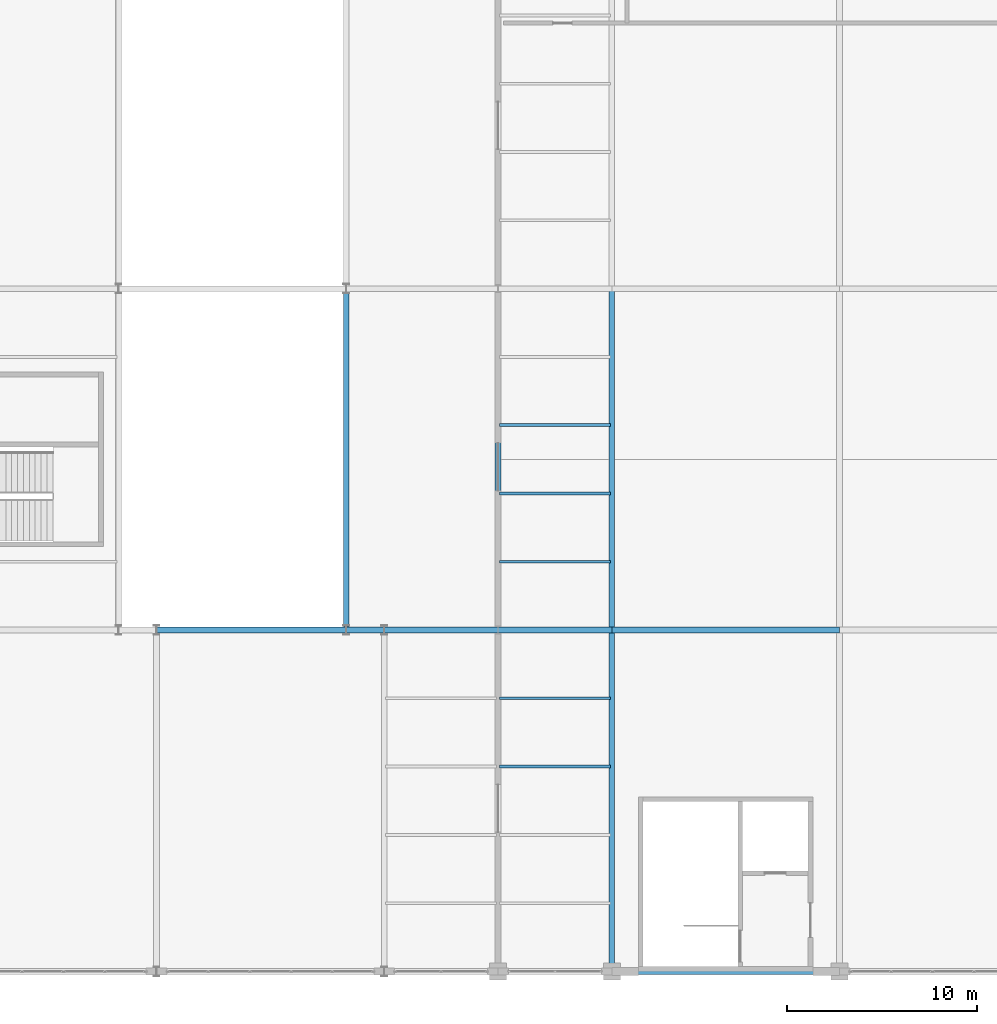
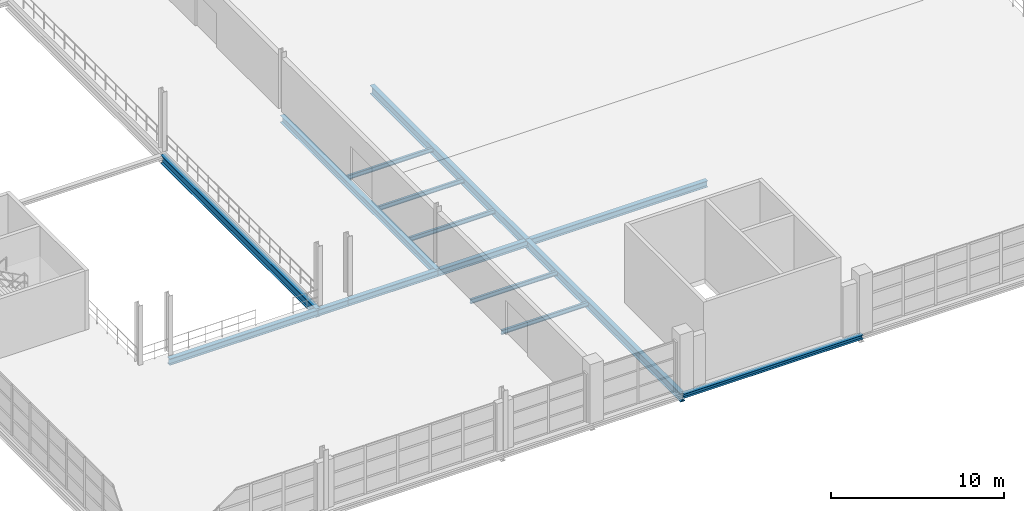
# One storey, part 43 of 158: 15 beams.
"""IFC4 building model written with IfcOpenShell, lengths in metres."""

import ifcopenshell
import ifcopenshell.guid

model = None  # the IFC model being written
_history = None  # IfcOwnerHistory: only IFC2X3 demands one
_inside = {}  # id of a spatial element -> (the spatial element, [elements in it])
_under = {}  # id of a project, library or spatial element -> (it, [spatial elements below it])
_declared = {}  # id of a project -> (the project, [libraries it declares])
_typed = {}  # id of a type object -> (the type object, [elements of that type])
_made_of = {}  # id of a material, layer set ... -> (it, [elements and type objects made of it])


def new_model(schema):
    """Start an empty IFC model of exactly this schema.

    Asked for "IFC4X3", IfcOpenShell would pick the latest addendum, in which some entities
    have other attributes; the version numbers below select the first issue.
    IFC2X3 requires an IfcOwnerHistory on every rooted entity: one is made here for all.
    """
    global model, _history
    if schema == "IFC4X3":
        model = ifcopenshell.file(schema_version=(4, 3, 0, 0))
    else:
        model = ifcopenshell.file(schema=schema)
    _inside.clear()
    _under.clear()
    _declared.clear()
    _typed.clear()
    _made_of.clear()
    _history = None
    if model.schema == "IFC2X3":
        org = make("IfcOrganization", Name="unknown")
        user = make(
            "IfcPersonAndOrganization",
            ThePerson=make("IfcPerson", FamilyName="unknown"),
            TheOrganization=org,
        )
        app = make(
            "IfcApplication",
            ApplicationDeveloper=org,
            Version="unknown",
            ApplicationFullName="unknown",
            ApplicationIdentifier="unknown",
        )
        _history = make(
            "IfcOwnerHistory",
            OwningUser=user,
            OwningApplication=app,
            ChangeAction="ADDED",
            CreationDate=0,
        )
    return model


def make(cls, **values):
    """One entity of the class cls with the attributes given. An attribute that is None is left unset."""
    return model.create_entity(
        cls, **{name: value for name, value in values.items() if value is not None}
    )


def rooted(cls, **values):
    """An entity with a GlobalId (a new one), such as an element, a storey or a relation."""
    return make(cls, GlobalId=ifcopenshell.guid.new(), OwnerHistory=_history, **values)


def si_unit(unit_type, name, prefix=None):
    """IfcSIUnit, for example si_unit("LENGTHUNIT", "METRE", prefix="MILLI")."""
    return make("IfcSIUnit", UnitType=unit_type, Prefix=prefix, Name=name)


def assignment(units):
    """IfcUnitAssignment: the units of a project."""
    return None if units is None else make("IfcUnitAssignment", Units=units)


def point(xyz):
    """IfcCartesianPoint."""
    return None if xyz is None else make("IfcCartesianPoint", Coordinates=xyz)


def direction(xyz):
    """IfcDirection."""
    return None if xyz is None else make("IfcDirection", DirectionRatios=xyz)


def frame(location, z_axis=None, x_axis=None):
    """IfcAxis2Placement3D, a coordinate frame: its origin and axes. An axis left out is left unset."""
    return make(
        "IfcAxis2Placement3D",
        Location=point(location),
        Axis=direction(z_axis),
        RefDirection=direction(x_axis),
    )


def frame_2d(location, x_axis=None):
    """IfcAxis2Placement2D, a coordinate frame in the plane: its origin and x axis."""
    return make(
        "IfcAxis2Placement2D", Location=point(location), RefDirection=direction(x_axis)
    )


def origin():
    """The frame at (0, 0, 0) with its axes left unset."""
    return frame((0.0, 0.0, 0.0))


def origin_2d():
    """The frame at (0, 0) in the plane with its x axis left unset."""
    return frame_2d((0.0, 0.0))


def place(relative_to, where):
    """IfcLocalPlacement: puts the frame where relative to a parent placement (None: the world)."""
    return make(
        "IfcLocalPlacement", PlacementRelTo=relative_to, RelativePlacement=where
    )


def context(
    kind, dimensions, precision=None, world=None, true_north=None, identifier=None
):
    """IfcGeometricRepresentationContext, for example the 3D "Model" context."""
    return make(
        "IfcGeometricRepresentationContext",
        ContextIdentifier=identifier,
        ContextType=kind,
        CoordinateSpaceDimension=dimensions,
        Precision=precision,
        WorldCoordinateSystem=world,
        TrueNorth=true_north,
    )


def subcontext(parent, identifier, kind, view, scale=None):
    """IfcGeometricRepresentationSubContext, for example "Body" below "Model"."""
    return make(
        "IfcGeometricRepresentationSubContext",
        ContextIdentifier=identifier,
        ContextType=kind,
        ParentContext=parent,
        TargetScale=scale,
        TargetView=view,
    )


def project(units=None, contexts=None):
    """IfcProject with its units and contexts."""
    return rooted(
        "IfcProject",
        Name="project",
        RepresentationContexts=contexts,
        UnitsInContext=assignment(units),
    )


def spatial(cls, under=None, at=None, **own):
    """A site, building, storey or space (cls), placed at a placement, below another one or the project."""
    s = rooted(cls, ObjectPlacement=at, **own)
    if under is not None:
        _under.setdefault(under.id(), (under, []))[1].append(s)
    return s


def profile(cls, at=None, kind="AREA", **sizes):
    """A parametric profile (cls). Its sizes go by their IFC names, for example OverallWidth=200.0."""
    return make(cls, ProfileType=kind, Position=at, **sizes)


def i_section(**sizes):
    """IfcIShapeProfileDef."""
    return profile("IfcIShapeProfileDef", **sizes)


def extrude(swept, where, along, depth):
    """IfcExtrudedAreaSolid: the profile swept, set in the frame where, extruded along a direction by depth."""
    return make(
        "IfcExtrudedAreaSolid",
        SweptArea=swept,
        Position=where,
        ExtrudedDirection=direction(along),
        Depth=depth,
    )


def shape(context_of_items, identifier, shape_type, items):
    """IfcShapeRepresentation: the items that make up one representation, for example the "Body"."""
    return make(
        "IfcShapeRepresentation",
        ContextOfItems=context_of_items,
        RepresentationIdentifier=identifier,
        RepresentationType=shape_type,
        Items=items,
    )


def material(Name=None, Category=None):
    """IfcMaterial."""
    return make("IfcMaterial", Name=Name, Category=Category)


def material_profile(
    of_material, cross_section, Name=None, Category=None, Priority=None
):
    """IfcMaterialProfile: a cross section and its material."""
    return make(
        "IfcMaterialProfile",
        Name=Name,
        Material=of_material,
        Profile=cross_section,
        Priority=Priority,
        Category=Category,
    )


def profile_set(profiles, Name=None, composite=None):
    """IfcMaterialProfileSet."""
    return make(
        "IfcMaterialProfileSet",
        Name=Name,
        MaterialProfiles=profiles,
        CompositeProfile=composite,
    )


def made_of(thing, what):
    """Note that an element or type object is made of a material, layer set ...; save() writes the relation."""
    if what is not None:
        _made_of.setdefault(what.id(), (what, []))[1].append(thing)
    return thing


def type_object(cls, material=None, **own):
    """A type object (cls), such as IfcWallType, which elements share."""
    return made_of(rooted(cls, **own), material)


def element(
    cls,
    number,
    at=None,
    inside=None,
    cuts=None,
    type_object=None,
    material=None,
    context=None,
    identifier="Body",
    shape_type=None,
    held_by="IfcProductDefinitionShape",
    body=None,
    shapes=None,
    **own,
):
    """One element of the class cls, such as IfcWall. Its Tag is "e" and its number.

    at: its placement. inside: the storey or other place that contains it. cuts: it is an
    opening in that element (IfcRelVoidsElement). A single representation is given by context,
    identifier, shape_type and body (its items); several are given by shapes. held_by: the class
    of the entity that holds the representations. save() writes the other relations.
    """
    e = rooted(cls, Tag="e%d" % number, ObjectPlacement=at, **own)
    if body is not None:
        shapes = [shape(context, identifier, shape_type, body)]
    if shapes is not None:
        e.Representation = make(held_by, Representations=shapes)
    if inside is not None:
        _inside.setdefault(inside.id(), (inside, []))[1].append(e)
    if cuts is not None:
        rooted(
            "IfcRelVoidsElement", RelatingBuildingElement=cuts, RelatedOpeningElement=e
        )
    if type_object is not None:
        _typed.setdefault(type_object.id(), (type_object, []))[1].append(e)
    return made_of(e, material)


def aggregate(whole, parts):
    """IfcRelAggregates: a whole, such as a stair, and the parts it consists of."""
    return rooted("IfcRelAggregates", RelatingObject=whole, RelatedObjects=parts)


def save(model, path):
    """Write the relations noted so far, then the file.

    IfcRelAggregates (storeys below a building ...), IfcRelContainedInSpatialStructure (elements
    in a storey), IfcRelDefinesByType, IfcRelAssociatesMaterial and IfcRelDeclares: one each for
    every whole, place, type object, material and project.
    """
    for whole, parts in _under.values():
        aggregate(whole, parts)
    for where, things in _inside.values():
        rooted(
            "IfcRelContainedInSpatialStructure",
            RelatedElements=things,
            RelatingStructure=where,
        )
    for kind, things in _typed.values():
        rooted("IfcRelDefinesByType", RelatedObjects=things, RelatingType=kind)
    for what, things in _made_of.values():
        rooted("IfcRelAssociatesMaterial", RelatedObjects=things, RelatingMaterial=what)
    for by, libraries in _declared.values():
        rooted("IfcRelDeclares", RelatingContext=by, RelatedDefinitions=libraries)
    model.write(path)


model = new_model("IFC4")

# Units and contexts
model_context = context("Model", 3, precision=1e-05, world=origin(), true_north=direction((0.0, 1.0)))
body_context = subcontext(model_context, "Body", "Model", "MODEL_VIEW")
ifc_project = project(units=[si_unit("LENGTHUNIT", "METRE"), si_unit("AREAUNIT", "SQUARE_METRE"), si_unit("VOLUMEUNIT", "CUBIC_METRE"), si_unit("PLANEANGLEUNIT", "RADIAN"), si_unit("MASSUNIT", "GRAM", prefix="KILO")], contexts=[model_context])

# Site, building, storey
site_placement = place(None, origin())
site = spatial("IfcSite", under=ifc_project, at=site_placement, CompositionType="ELEMENT")
building_placement = place(site_placement, origin())
building = spatial("IfcBuilding", under=site, at=building_placement, Name="Zilviju Railside Exhibition Hall", CompositionType="ELEMENT")
storey_placement = place(building_placement, frame((0.0, 0.0, 4.199951171875)))
storey = spatial("IfcBuildingStorey", under=building, at=storey_placement, Name="L02", CompositionType="ELEMENT", Elevation=4.199951171875)

# Beams
ifc_material = material(Name="Steel S355J2", Category="steel")
ifc_material_profile_1 = material_profile(ifc_material, i_section(OverallWidth=0.300048828125, OverallDepth=0.2900390625, WebThickness=0.008544921875, FlangeThickness=0.013916015625, at=origin_2d()), Name="HEA 300")
ifc_profile_set_1 = profile_set([ifc_material_profile_1], Name="Steel S355J2")
beam_type_1 = type_object("IfcBeamType", Name="BM-HEA300", PredefinedType="SPANDREL", material=ifc_profile_set_1)
beam_1_placement = place(storey_placement, frame((84.0, 0.0, -0.474853515625), z_axis=(1.0, 0.0, 0.0), x_axis=(0.0, 1.0, 0.0)))
element("IfcBeam", 1, at=beam_1_placement, inside=storey, type_object=beam_type_1, Name="Primary Girder L02 Y=0.0 (84.0..96.0)", PredefinedType="SPANDREL", context=body_context, shape_type="SweptSolid", body=[
    extrude(i_section(OverallWidth=0.300048828125, OverallDepth=0.2900390625, WebThickness=0.008544921875, FlangeThickness=0.013916015625, at=origin_2d()), origin(), (0.0, 0.0, 1.0), 12.0),
])
ifc_material_profile_2 = material_profile(ifc_material, i_section(OverallWidth=0.300048828125, OverallDepth=0.449951171875, WebThickness=0.013916015625, FlangeThickness=0.02587890625, at=origin_2d()), Name="HEB 450")
ifc_profile_set_2 = profile_set([ifc_material_profile_2], Name="Steel S355J2")
beam_type_2 = type_object("IfcBeamType", Name="BM-HEB450", PredefinedType="BEAM", material=ifc_profile_set_2)
beam_2_placement = place(storey_placement, frame((60.0, 18.0, -0.574951171875), z_axis=(1.0, 0.0, 0.0), x_axis=(0.0, 1.0, 0.0)))
element("IfcBeam", 2, at=beam_2_placement, inside=storey, type_object=beam_type_2, Name="Primary Girder L02 Y=18.0 (60.0..70.0)", PredefinedType="BEAM", context=body_context, shape_type="SweptSolid", body=[
    extrude(i_section(OverallWidth=0.300048828125, OverallDepth=0.449951171875, WebThickness=0.013916015625, FlangeThickness=0.02587890625, at=origin_2d()), origin(), (0.0, 0.0, 1.0), 10.0),
])
beam_3_placement = place(storey_placement, frame((70.0, 18.0, -0.574951171875), z_axis=(1.0, 0.0, 0.0), x_axis=(0.0, 1.0, 0.0)))
element("IfcBeam", 3, at=beam_3_placement, inside=storey, type_object=beam_type_2, Name="Primary Girder L02 Y=18.0 (70.0..72.0)", PredefinedType="BEAM", context=body_context, shape_type="SweptSolid", body=[
    extrude(i_section(OverallWidth=0.300048828125, OverallDepth=0.449951171875, WebThickness=0.013916015625, FlangeThickness=0.02587890625, at=origin_2d()), origin(), (0.0, 0.0, 1.0), 2.0),
])
for number, where, z_axis, x_axis, name in (
    (4, (72.0, 18.0, -0.574951171875), (1.0, 0.0, 0.0), (0.0, 1.0, 0.0), "Primary Girder L02 Y=18.0 (72.0..78.0)"),
    (5, (78.0, 18.0, -0.574951171875), (1.0, 0.0, 0.0), (0.0, 1.0, 0.0), "Primary Girder L02 Y=18.0 (78.0..84.0)"),
):
    element("IfcBeam", number, at=place(storey_placement, frame(where, z_axis=z_axis, x_axis=x_axis)), inside=storey, type_object=beam_type_2, Name=name, PredefinedType="BEAM", context=body_context, shape_type="SweptSolid", body=[
        extrude(i_section(OverallWidth=0.300048828125, OverallDepth=0.449951171875, WebThickness=0.013916015625, FlangeThickness=0.02587890625, at=origin_2d()), origin(), (0.0, 0.0, 1.0), 6.0),
    ])
beam_4_placement = place(storey_placement, frame((84.0, 18.0, -0.554931640625), z_axis=(1.0, 0.0, 0.0), x_axis=(0.0, 1.0, 0.0)))
element("IfcBeam", 6, at=beam_4_placement, inside=storey, type_object=beam_type_2, Name="Primary Girder L02 Y=18.0 (84.0..96.0)", PredefinedType="BEAM", context=body_context, shape_type="SweptSolid", body=[
    extrude(i_section(OverallWidth=0.300048828125, OverallDepth=0.449951171875, WebThickness=0.013916015625, FlangeThickness=0.02587890625, at=origin_2d()), origin(), (0.0, 0.0, 1.0), 12.0),
])
ifc_material_profile_3 = material_profile(ifc_material, i_section(OverallWidth=0.300048828125, OverallDepth=0.5, WebThickness=0.014404296875, FlangeThickness=0.028076171875, at=origin_2d()), Name="HEB 500")
ifc_profile_set_3 = profile_set([ifc_material_profile_3], Name="Steel S355J2")
beam_type_3 = type_object("IfcBeamType", Name="BM-HEB500", PredefinedType="BEAM", material=ifc_profile_set_3)
beam_5_placement = place(storey_placement, frame((78.0, 18.0, -0.599853515625), z_axis=(0.0, 1.0, 0.0), x_axis=(-1.0, 0.0, 0.0)))
element("IfcBeam", 7, at=beam_5_placement, inside=storey, type_object=beam_type_3, Name="Transverse Girder L02 X=78.0 (18.0..36.0)", PredefinedType="BEAM", context=body_context, shape_type="SweptSolid", body=[
    extrude(i_section(OverallWidth=0.300048828125, OverallDepth=0.5, WebThickness=0.014404296875, FlangeThickness=0.028076171875, at=origin_2d()), origin(), (0.0, 0.0, 1.0), 18.0),
])
ifc_material_profile_4 = material_profile(ifc_material, i_section(OverallWidth=0.300048828125, OverallDepth=0.60009765625, WebThickness=0.015380859375, FlangeThickness=0.030029296875, at=origin_2d()), Name="HEB 600")
ifc_profile_set_4 = profile_set([ifc_material_profile_4], Name="Steel S355J2")
beam_type_4 = type_object("IfcBeamType", Name="BM-HEB600", PredefinedType="BEAM", material=ifc_profile_set_4)
for number, where, z_axis, x_axis, name in (
    (8, (70.0, 18.0, -0.64990234375), (0.0, 1.0, 0.0), (-1.0, 0.0, 0.0), "Transverse Girder L02 X=70.0 (18.0..36.0)"),
    (9, (84.0, 0.0, -0.6298828125), (0.0, 1.0, 0.0), (-1.0, 0.0, 0.0), "Transverse Girder L02 X=84.0 (0.0..18.0)"),
    (10, (84.0, 18.0, -0.6298828125), (0.0, 1.0, 0.0), (-1.0, 0.0, 0.0), "Transverse Girder L02 X=84.0 (18.0..36.0)"),
):
    element("IfcBeam", number, at=place(storey_placement, frame(where, z_axis=z_axis, x_axis=x_axis)), inside=storey, type_object=beam_type_4, Name=name, PredefinedType="BEAM", context=body_context, shape_type="SweptSolid", body=[
        extrude(i_section(OverallWidth=0.300048828125, OverallDepth=0.60009765625, WebThickness=0.015380859375, FlangeThickness=0.030029296875, at=origin_2d()), origin(), (0.0, 0.0, 1.0), 18.0),
    ])
ifc_material_profile_5 = material_profile(ifc_material, i_section(OverallWidth=0.14990234375, OverallDepth=0.300048828125, WebThickness=0.007080078125, FlangeThickness=0.0107421875, at=origin_2d()), Name="IPE 300")
ifc_profile_set_5 = profile_set([ifc_material_profile_5], Name="Steel S355J2")
beam_type_5 = type_object("IfcBeamType", Name="BM-IPE300", PredefinedType="JOIST", material=ifc_profile_set_5)
for number, where, z_axis, x_axis, name in (
    (11, (78.080078125, 10.800048828125, -0.5), (1.0, 0.0, 0.0), (0.0, 1.0, 0.0), "Composite Floor Joist L02 Y=10.80 (78.0..84.0)"),
    (12, (78.080078125, 14.39990234375, -0.5), (1.0, 0.0, 0.0), (0.0, 1.0, 0.0), "Composite Floor Joist L02 Y=14.40 (78.0..84.0)"),
    (13, (78.080078125, 21.60009765625, -0.5), (1.0, 0.0, 0.0), (0.0, 1.0, 0.0), "Composite Floor Joist L02 Y=21.60 (78.0..84.0)"),
    (14, (78.080078125, 25.199951171875, -0.5), (1.0, 0.0, 0.0), (0.0, 1.0, 0.0), "Composite Floor Joist L02 Y=25.20 (78.0..84.0)"),
    (15, (78.080078125, 28.800048828125, -0.5), (1.0, 0.0, 0.0), (0.0, 1.0, 0.0), "Composite Floor Joist L02 Y=28.80 (78.0..84.0)"),
):
    element("IfcBeam", number, at=place(storey_placement, frame(where, z_axis=z_axis, x_axis=x_axis)), inside=storey, type_object=beam_type_5, Name=name, PredefinedType="JOIST", context=body_context, shape_type="SweptSolid", body=[
        extrude(i_section(OverallWidth=0.14990234375, OverallDepth=0.300048828125, WebThickness=0.007080078125, FlangeThickness=0.0107421875, at=origin_2d()), origin(), (0.0, 0.0, 1.0), 5.83984375),
    ])

save(model, "model.ifc")
